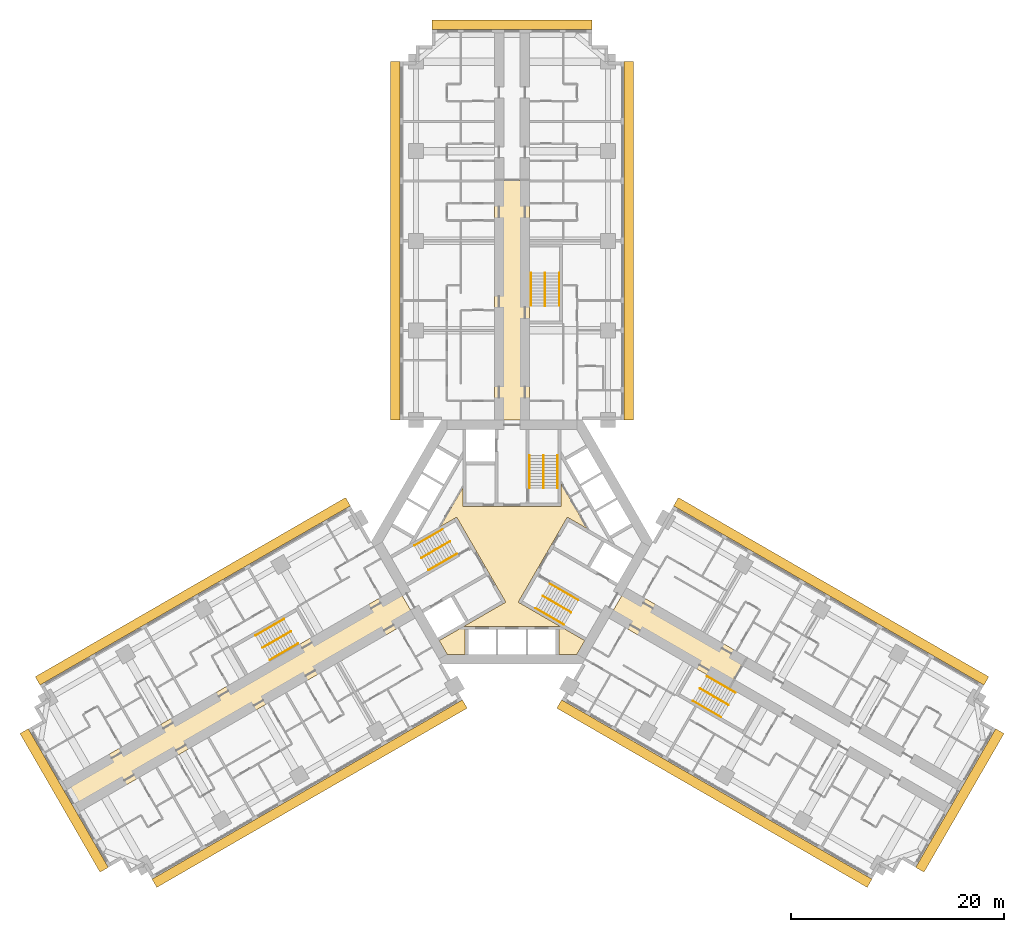
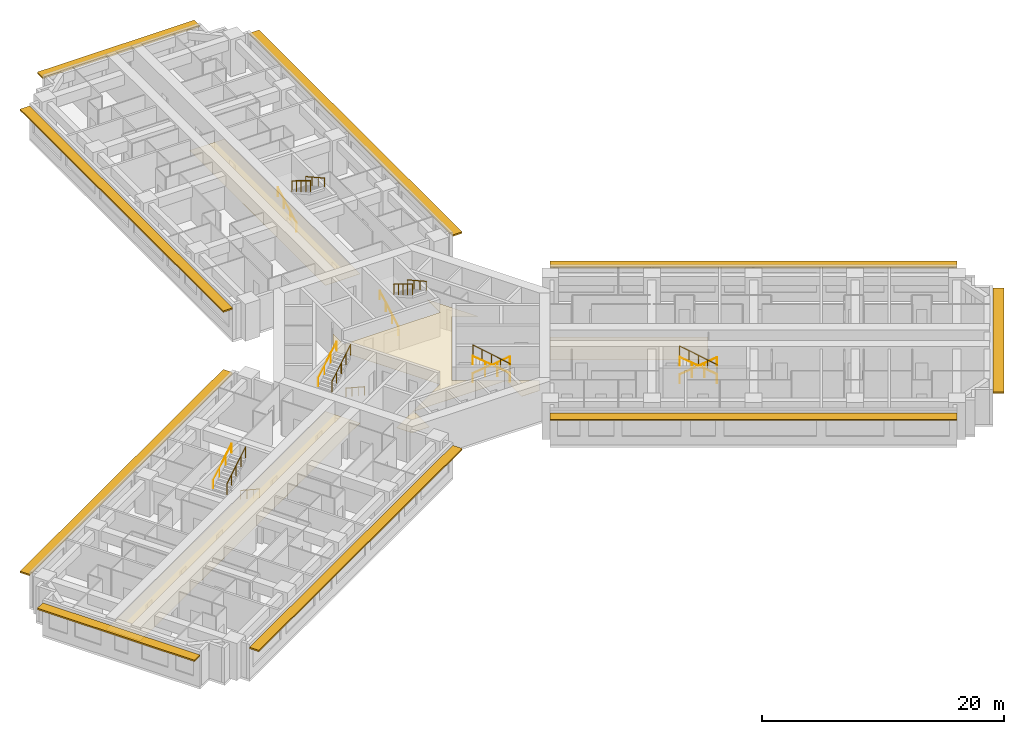
# One storey, part 16 of 16: 18 railings, 4 coverings, 3 shading devices.
"""IFC4 building model written with IfcOpenShell, lengths in metres."""

from ifc_helpers import new_model, si_unit, direction, frame, origin, origin_2d, place, context, subcontext, project, spatial, polyline, rectangle, circle, outline, extrude, material, layer, layer_set, type_object, element, save


model = new_model("IFC4")

# Units and contexts
model_context = context("Model", 3, precision=1e-05, world=origin(), true_north=direction((0.0, 1.0)))
body_context = subcontext(model_context, "Body", "Model", "MODEL_VIEW")
ifc_project = project(units=[si_unit("LENGTHUNIT", "METRE"), si_unit("AREAUNIT", "SQUARE_METRE"), si_unit("VOLUMEUNIT", "CUBIC_METRE"), si_unit("PLANEANGLEUNIT", "RADIAN"), si_unit("MASSUNIT", "GRAM", prefix="KILO")], contexts=[model_context])

# Site, building, storey
site_placement = place(None, origin())
site = spatial("IfcSite", under=ifc_project, at=site_placement, CompositionType="ELEMENT")
building_placement = place(site_placement, origin())
building = spatial("IfcBuilding", under=site, at=building_placement, Name="Impinga Residences", CompositionType="ELEMENT")
storey_placement = place(building_placement, frame((0.0, 0.0, 52.25)))
storey = spatial("IfcBuildingStorey", under=building, at=storey_placement, Name="L12", CompositionType="ELEMENT", Elevation=52.25)

# Coverings
ifc_material_1 = material(Name="Plasterboard 15 mm on steel hangers", Category="steel")
ifc_layer_1 = layer(ifc_material_1, 0.014892578125)
ifc_layer_set_1 = layer_set([ifc_layer_1], Name="Plasterboard 15 mm on steel hangers")
covering_type_1 = type_object("IfcCoveringType", Name="CL1 corridor ceiling, 15 mm plasterboard on hangers", PredefinedType="CEILING", material=ifc_layer_set_1)
covering_1_placement = place(storey_placement, frame((0.0, 0.0, 2.39990234375)))
element("IfcCovering", 1, at=covering_1_placement, inside=storey, type_object=covering_type_1, Name="Corridor ceiling CL1 L12-N00", PredefinedType="CEILING", context=body_context, shape_type="SweptSolid", body=[
    extrude(outline(polyline([(1.64990234375, 11.431640625), (-1.64990234375, 11.431640625), (-1.64990234375, 33.887939453125), (1.64990234375, 33.887939453125), (1.64990234375, 11.431640625)])), origin(), (0.0, 0.0, 1.0), 0.01513671875),
])
covering_2_placement = place(storey_placement, frame((0.0, 0.0, 2.39990234375)))
element("IfcCovering", 2, at=covering_2_placement, inside=storey, type_object=covering_type_1, Name="Corridor ceiling CL1 L12-W00", PredefinedType="CEILING", context=body_context, shape_type="SweptSolid", body=[
    extrude(outline(polyline([(-9.074951171875, -7.144775390625), (-10.72509765625, -4.286865234375), (-42.16162109375, -22.436767578125), (-40.51171875, -25.294677734375), (-9.074951171875, -7.144775390625)])), origin(), (0.0, 0.0, 1.0), 0.01513671875),
])
covering_3_placement = place(storey_placement, frame((0.0, 0.0, 2.39990234375)))
element("IfcCovering", 3, at=covering_3_placement, inside=storey, type_object=covering_type_1, Name="Corridor ceiling CL1 L12-E00", PredefinedType="CEILING", context=body_context, shape_type="SweptSolid", body=[
    extrude(outline(polyline([(9.074951171875, -7.144775390625), (10.72509765625, -4.286865234375), (21.999267578125, -10.796142578125), (20.349365234375, -13.654052734375), (9.074951171875, -7.144775390625)])), origin(), (0.0, 0.0, 1.0), 0.01513671875),
])
ifc_material_2 = material(Name="Mineral fibre tiles 20 mm on exposed grid", Category="mineral fibre")
ifc_layer_2 = layer(ifc_material_2, 0.02001953125)
ifc_layer_set_2 = layer_set([ifc_layer_2], Name="CL2 lift lobby ceiling, 20 mm mineral fibre tiles")
covering_type_2 = type_object("IfcCoveringType", Name="CL2 lift lobby ceiling, 20 mm mineral fibre tiles", PredefinedType="CEILING", material=ifc_layer_set_2)
covering_4_placement = place(storey_placement, frame((0.0, 0.0, 2.39990234375)))
element("IfcCovering", 4, at=covering_4_placement, inside=storey, type_object=covering_type_2, Name="Lift lobby ceiling CL2 L12-C01", PredefinedType="CEILING", context=body_context, shape_type="SweptSolid", body=[
    extrude(outline(polyline([(6.080322265625, -10.531494140625), (4.39990234375, -10.531494140625), (4.39990234375, -7.931640625), (-4.39990234375, -7.931640625), (-4.39990234375, -10.531494140625), (-6.080322265625, -10.531494140625), (-6.820556640625, -9.24951171875), (-0.583984375, -5.648681640625), (-5.183837890625, 2.318603515625), (-6.712890625, 1.435791015625), (-4.60009765625, 5.095703125), (-4.60009765625, 3.330078125), (4.60009765625, 3.330078125), (4.60009765625, 5.49560546875), (7.059326171875, 1.23583984375), (5.183837890625, 2.318603515625), (0.583984375, -5.648681640625), (6.820556640625, -9.24951171875), (6.080322265625, -10.531494140625)])), origin(), (0.0, 0.0, 1.0), 0.02001953125),
])

# Railings
ifc_material_3 = material(Name="Steel guard, powder coated", Category="steel")
railing_type_1 = type_object("IfcRailingType", Name="GR1 stair guard 1100", PredefinedType="GUARDRAIL", material=ifc_material_3)
railing_1_placement = place(storey_placement, frame((2.949951171875, 8.110107421875, 1.875)))
element("IfcRailing", 5, at=railing_1_placement, inside=storey, type_object=railing_type_1, Name="Stair guard GR1 ST1 L12", PredefinedType="GUARDRAIL", context=body_context, shape_type="SweptSolid", body=[
    extrude(circle(Radius=0.02392578125, at=origin_2d()), frame((0.0, 0.0, 1.076171875), z_axis=(0.0, -0.854177636135, 0.519981313056), x_axis=(1.0, 0.0, 0.0)), (0.0, 0.0, 1.0), 3.60595703125),
    extrude(circle(Radius=0.02099609375, at=origin_2d()), origin(), (0.0, 0.0, 1.0), 1.052001953125),
    extrude(circle(Radius=0.02099609375, at=origin_2d()), frame((0.0, -0.77001953125, 0.46875)), (0.0, 0.0, 1.0), 1.052001953125),
    extrude(circle(Radius=0.02099609375, at=origin_2d()), frame((0.0, -1.5400390625, 0.9375)), (0.0, 0.0, 1.0), 1.052001953125),
    extrude(circle(Radius=0.02099609375, at=origin_2d()), frame((0.0, -2.31005859375, 1.40625)), (0.0, 0.0, 1.0), 1.052001953125),
    extrude(circle(Radius=0.02099609375, at=origin_2d()), frame((0.0, -3.080078125, 1.875)), (0.0, 0.0, 1.0), 1.052001953125),
])
railing_2_placement = place(storey_placement, frame((-8.49853515625, -1.500244140625, 1.875)))
element("IfcRailing", 6, at=railing_2_placement, inside=storey, type_object=railing_type_1, Name="Stair guard GR1 ST2 L12", PredefinedType="GUARDRAIL", context=body_context, shape_type="SweptSolid", body=[
    extrude(circle(Radius=0.02392578125, at=origin_2d()), frame((0.0, 0.0, 1.076171875), z_axis=(0.739746383972, 0.427084037168, 0.519975492303), x_axis=(-0.499992328818, 0.866029832698, 0.0)), (0.0, 0.0, 1.0), 3.60595703125),
    extrude(circle(Radius=0.02099609375, at=origin_2d()), origin(), (0.0, 0.0, 1.0), 1.052001953125),
    extrude(circle(Radius=0.02099609375, at=origin_2d()), frame((0.6669921875, 0.385009765625, 0.46875)), (0.0, 0.0, 1.0), 1.052001953125),
    extrude(circle(Radius=0.02099609375, at=origin_2d()), frame((1.333740234375, 0.77001953125, 0.9375)), (0.0, 0.0, 1.0), 1.052001953125),
    extrude(circle(Radius=0.02099609375, at=origin_2d()), frame((2.00048828125, 1.155029296875, 1.40625)), (0.0, 0.0, 1.0), 1.052001953125),
    extrude(circle(Radius=0.02099609375, at=origin_2d()), frame((2.66748046875, 1.5400390625, 1.875)), (0.0, 0.0, 1.0), 1.052001953125),
])
railing_3_placement = place(storey_placement, frame((5.548583984375, -6.60986328125, 1.875)))
element("IfcRailing", 7, at=railing_3_placement, inside=storey, type_object=railing_type_1, Name="Stair guard GR1 ST3 L12", PredefinedType="GUARDRAIL", context=body_context, shape_type="SweptSolid", body=[
    extrude(circle(Radius=0.02392578125, at=origin_2d()), frame((0.0, 0.0, 1.076171875), z_axis=(-0.739746383972, 0.427084037168, 0.519975492303), x_axis=(-0.499992328818, -0.866029832698, 0.0)), (0.0, 0.0, 1.0), 3.60595703125),
    extrude(circle(Radius=0.02099609375, at=origin_2d()), origin(), (0.0, 0.0, 1.0), 1.052001953125),
    extrude(circle(Radius=0.02099609375, at=origin_2d()), frame((-0.6669921875, 0.385009765625, 0.46875)), (0.0, 0.0, 1.0), 1.052001953125),
    extrude(circle(Radius=0.02099609375, at=origin_2d()), frame((-1.333740234375, 0.77001953125, 0.9375)), (0.0, 0.0, 1.0), 1.052001953125),
    extrude(circle(Radius=0.02099609375, at=origin_2d()), frame((-2.00048828125, 1.155029296875, 1.40625)), (0.0, 0.0, 1.0), 1.052001953125),
    extrude(circle(Radius=0.02099609375, at=origin_2d()), frame((-2.66748046875, 1.5400390625, 1.875)), (0.0, 0.0, 1.0), 1.052001953125),
])
railing_4_placement = place(storey_placement, frame((3.10009765625, 25.21142578125, 1.875)))
element("IfcRailing", 8, at=railing_4_placement, inside=storey, type_object=railing_type_1, Name="Stair guard GR1 WS1 L12", PredefinedType="GUARDRAIL", context=body_context, shape_type="SweptSolid", body=[
    extrude(circle(Radius=0.02392578125, at=origin_2d()), frame((0.0, 0.0, 1.076171875), z_axis=(0.0, -0.854159328187, 0.520011386482), x_axis=(1.0, 0.0, 0.0)), (0.0, 0.0, 1.0), 3.605712890625),
    extrude(circle(Radius=0.02099609375, at=origin_2d()), origin(), (0.0, 0.0, 1.0), 1.052001953125),
    extrude(circle(Radius=0.02099609375, at=origin_2d()), frame((0.0, -0.77001953125, 0.46875)), (0.0, 0.0, 1.0), 1.052001953125),
    extrude(circle(Radius=0.02099609375, at=origin_2d()), frame((0.0, -1.5400390625, 0.9375)), (0.0, 0.0, 1.0), 1.052001953125),
    extrude(circle(Radius=0.02099609375, at=origin_2d()), frame((0.0, -2.309814453125, 1.40625)), (0.0, 0.0, 1.0), 1.052001953125),
    extrude(circle(Radius=0.02099609375, at=origin_2d()), frame((0.0, -3.079833984375, 1.875)), (0.0, 0.0, 1.0), 1.052001953125),
])
railing_5_placement = place(storey_placement, frame((-23.3837890625, -9.921142578125, 1.875)))
element("IfcRailing", 9, at=railing_5_placement, inside=storey, type_object=railing_type_1, Name="Stair guard GR1 WS2 L12", PredefinedType="GUARDRAIL", context=body_context, shape_type="SweptSolid", body=[
    extrude(circle(Radius=0.02392578125, at=origin_2d()), frame((0.0, 0.0, 1.076171875), z_axis=(0.739715726454, 0.427105428144, 0.52000153585), x_axis=(-0.500026652407, 0.866010015463, 0.0)), (0.0, 0.0, 1.0), 3.605712890625),
    extrude(circle(Radius=0.02099609375, at=origin_2d()), origin(), (0.0, 0.0, 1.0), 1.052001953125),
    extrude(circle(Radius=0.02099609375, at=origin_2d()), frame((0.666748046875, 0.385009765625, 0.46875)), (0.0, 0.0, 1.0), 1.052001953125),
    extrude(circle(Radius=0.02099609375, at=origin_2d()), frame((1.33349609375, 0.77001953125, 0.9375)), (0.0, 0.0, 1.0), 1.052001953125),
    extrude(circle(Radius=0.02099609375, at=origin_2d()), frame((2.00048828125, 1.155029296875, 1.40625)), (0.0, 0.0, 1.0), 1.052001953125),
    extrude(circle(Radius=0.02099609375, at=origin_2d()), frame((2.667236328125, 1.5400390625, 1.875)), (0.0, 0.0, 1.0), 1.052001953125),
])
railing_6_placement = place(storey_placement, frame((20.283935546875, -15.29052734375, 1.875)))
element("IfcRailing", 10, at=railing_6_placement, inside=storey, type_object=railing_type_1, Name="Stair guard GR1 WS3 L12", PredefinedType="GUARDRAIL", context=body_context, shape_type="SweptSolid", body=[
    extrude(circle(Radius=0.02392578125, at=origin_2d()), frame((0.0, 0.0, 1.076171875), z_axis=(-0.739746383972, 0.427084037168, 0.519975492303), x_axis=(-0.499992328818, -0.866029832698, 0.0)), (0.0, 0.0, 1.0), 3.60595703125),
    extrude(circle(Radius=0.02099609375, at=origin_2d()), origin(), (0.0, 0.0, 1.0), 1.052001953125),
    extrude(circle(Radius=0.02099609375, at=origin_2d()), frame((-0.6669921875, 0.385009765625, 0.46875)), (0.0, 0.0, 1.0), 1.052001953125),
    extrude(circle(Radius=0.02099609375, at=origin_2d()), frame((-1.333740234375, 0.77001953125, 0.9375)), (0.0, 0.0, 1.0), 1.052001953125),
    extrude(circle(Radius=0.02099609375, at=origin_2d()), frame((-2.00048828125, 1.155029296875, 1.40625)), (0.0, 0.0, 1.0), 1.052001953125),
    extrude(circle(Radius=0.02099609375, at=origin_2d()), frame((-2.66748046875, 1.5400390625, 1.875)), (0.0, 0.0, 1.0), 1.052001953125),
])
ifc_material_4 = material(Name="Steel handrail tube 42 mm, powder coated", Category="steel")
railing_type_2 = type_object("IfcRailingType", Name="HR1 stair handrail, 42 mm steel tube, 900 above the pitch line", PredefinedType="HANDRAIL", material=ifc_material_4)
railing_7_placement = place(storey_placement, frame((1.62109375, 5.030029296875, 0.15625)))
element("IfcRailing", 11, at=railing_7_placement, inside=storey, type_object=railing_type_2, Name="Stair handrail HR1 ST1 L12", PredefinedType="HANDRAIL", context=body_context, shape_type="SweptSolid", body=[
    extrude(circle(Radius=0.02099609375, at=origin_2d()), frame((0.0, 0.0, 0.87890625), z_axis=(0.0, 0.873241540666, 0.487287606713), x_axis=(-1.0, 0.0, 0.0)), (0.0, 0.0, 1.0), 3.527099609375),
    extrude(circle(Radius=0.012451171875, at=origin_2d()), origin(), (0.0, 0.0, 1.0), 0.85791015625),
    extrude(circle(Radius=0.012451171875, at=origin_2d()), frame((0.0, 1.026611328125, 0.572998046875)), (0.0, 0.0, 1.0), 0.85791015625),
    extrude(circle(Radius=0.012451171875, at=origin_2d()), frame((0.0, 2.053466796875, 1.145751953125)), (0.0, 0.0, 1.0), 0.85791015625),
    extrude(circle(Radius=0.012451171875, at=origin_2d()), frame((0.0, 3.080078125, 1.71875)), (0.0, 0.0, 1.0), 0.85791015625),
])
railing_8_placement = place(storey_placement, frame((4.279052734375, 8.110107421875, 2.03125)))
element("IfcRailing", 12, at=railing_8_placement, inside=storey, type_object=railing_type_2, Name="Stair handrail HR1 ST1 L12", PredefinedType="HANDRAIL", context=body_context, shape_type="SweptSolid", body=[
    extrude(circle(Radius=0.02099609375, at=origin_2d()), frame((0.0, 0.0, 0.87890625), z_axis=(0.0, -0.873241540666, 0.487287606713), x_axis=(1.0, 0.0, 0.0)), (0.0, 0.0, 1.0), 3.527099609375),
    extrude(circle(Radius=0.012451171875, at=origin_2d()), origin(), (0.0, 0.0, 1.0), 0.85791015625),
    extrude(circle(Radius=0.012451171875, at=origin_2d()), frame((0.0, -1.026611328125, 0.572998046875)), (0.0, 0.0, 1.0), 0.85791015625),
    extrude(circle(Radius=0.012451171875, at=origin_2d()), frame((0.0, -2.053466796875, 1.145751953125)), (0.0, 0.0, 1.0), 0.85791015625),
    extrude(circle(Radius=0.012451171875, at=origin_2d()), frame((0.0, -3.080078125, 1.71875)), (0.0, 0.0, 1.0), 0.85791015625),
])
railing_9_placement = place(storey_placement, frame((-5.16650390625, -1.111083984375, 0.15625)))
element("IfcRailing", 13, at=railing_9_placement, inside=storey, type_object=railing_type_2, Name="Stair handrail HR1 ST2 L12", PredefinedType="HANDRAIL", context=body_context, shape_type="SweptSolid", body=[
    extrude(circle(Radius=0.02099609375, at=origin_2d()), frame((0.0, 0.0, 0.87890625), z_axis=(-0.756255980417, -0.436615662133, 0.487281905742), x_axis=(0.499992328818, -0.866029832698, 0.0)), (0.0, 0.0, 1.0), 3.527099609375),
    extrude(circle(Radius=0.012451171875, at=origin_2d()), origin(), (0.0, 0.0, 1.0), 0.85791015625),
    extrude(circle(Radius=0.012451171875, at=origin_2d()), frame((-0.88916015625, -0.513427734375, 0.572998046875)), (0.0, 0.0, 1.0), 0.85791015625),
    extrude(circle(Radius=0.012451171875, at=origin_2d()), frame((-1.7783203125, -1.026611328125, 1.145751953125)), (0.0, 0.0, 1.0), 0.85791015625),
    extrude(circle(Radius=0.012451171875, at=origin_2d()), frame((-2.66748046875, -1.5400390625, 1.71875)), (0.0, 0.0, 1.0), 0.85791015625),
])
railing_10_placement = place(storey_placement, frame((-9.1630859375, -0.349365234375, 2.03125)))
element("IfcRailing", 14, at=railing_10_placement, inside=storey, type_object=railing_type_2, Name="Stair handrail HR1 ST2 L12", PredefinedType="HANDRAIL", context=body_context, shape_type="SweptSolid", body=[
    extrude(circle(Radius=0.02099609375, at=origin_2d()), frame((0.0, 0.0, 0.87890625), z_axis=(0.756255980417, 0.436615662133, 0.487281905742), x_axis=(-0.499992328818, 0.866029832698, 0.0)), (0.0, 0.0, 1.0), 3.527099609375),
    extrude(circle(Radius=0.012451171875, at=origin_2d()), origin(), (0.0, 0.0, 1.0), 0.85791015625),
    extrude(circle(Radius=0.012451171875, at=origin_2d()), frame((0.88916015625, 0.513427734375, 0.572998046875)), (0.0, 0.0, 1.0), 0.85791015625),
    extrude(circle(Radius=0.012451171875, at=origin_2d()), frame((1.7783203125, 1.026611328125, 1.145751953125)), (0.0, 0.0, 1.0), 0.85791015625),
    extrude(circle(Radius=0.012451171875, at=origin_2d()), frame((2.66748046875, 1.5400390625, 1.71875)), (0.0, 0.0, 1.0), 0.85791015625),
])
railing_11_placement = place(storey_placement, frame((3.545654296875, -3.9189453125, 0.15625)))
element("IfcRailing", 15, at=railing_11_placement, inside=storey, type_object=railing_type_2, Name="Stair handrail HR1 ST3 L12", PredefinedType="HANDRAIL", context=body_context, shape_type="SweptSolid", body=[
    extrude(circle(Radius=0.02099609375, at=origin_2d()), frame((0.0, 0.0, 0.87890625), z_axis=(0.756249203677, -0.436582492228, 0.487322141317), x_axis=(0.499967199496, 0.866044340336, 0.0)), (0.0, 0.0, 1.0), 3.52685546875),
    extrude(circle(Radius=0.012451171875, at=origin_2d()), origin(), (0.0, 0.0, 1.0), 0.85791015625),
    extrude(circle(Radius=0.012451171875, at=origin_2d()), frame((0.88916015625, -0.51318359375, 0.572998046875)), (0.0, 0.0, 1.0), 0.85791015625),
    extrude(circle(Radius=0.012451171875, at=origin_2d()), frame((1.778076171875, -1.026611328125, 1.145751953125)), (0.0, 0.0, 1.0), 0.85791015625),
    extrude(circle(Radius=0.012451171875, at=origin_2d()), frame((2.667236328125, -1.539794921875, 1.71875)), (0.0, 0.0, 1.0), 0.85791015625),
])
railing_12_placement = place(storey_placement, frame((4.884033203125, -7.7607421875, 2.03125)))
element("IfcRailing", 16, at=railing_12_placement, inside=storey, type_object=railing_type_2, Name="Stair handrail HR1 ST3 L12", PredefinedType="HANDRAIL", context=body_context, shape_type="SweptSolid", body=[
    extrude(circle(Radius=0.02099609375, at=origin_2d()), frame((0.0, 0.0, 0.87890625), z_axis=(-0.756255980417, 0.436615662133, 0.487281905742), x_axis=(-0.499992328818, -0.866029832698, 0.0)), (0.0, 0.0, 1.0), 3.527099609375),
    extrude(circle(Radius=0.012451171875, at=origin_2d()), origin(), (0.0, 0.0, 1.0), 0.85791015625),
    extrude(circle(Radius=0.012451171875, at=origin_2d()), frame((-0.88916015625, 0.513427734375, 0.572998046875)), (0.0, 0.0, 1.0), 0.85791015625),
    extrude(circle(Radius=0.012451171875, at=origin_2d()), frame((-1.7783203125, 1.026611328125, 1.145751953125)), (0.0, 0.0, 1.0), 0.85791015625),
    extrude(circle(Radius=0.012451171875, at=origin_2d()), frame((-2.66748046875, 1.5400390625, 1.71875)), (0.0, 0.0, 1.0), 0.85791015625),
])
railing_13_placement = place(storey_placement, frame((1.77099609375, 22.131591796875, 0.15625)))
element("IfcRailing", 17, at=railing_13_placement, inside=storey, type_object=railing_type_2, Name="Stair handrail HR1 WS1 L12", PredefinedType="HANDRAIL", context=body_context, shape_type="SweptSolid", body=[
    extrude(circle(Radius=0.02099609375, at=origin_2d()), frame((0.0, 0.0, 0.87890625), z_axis=(0.0, 0.873225103656, 0.487317061414), x_axis=(-1.0, 0.0, 0.0)), (0.0, 0.0, 1.0), 3.52685546875),
    extrude(circle(Radius=0.012451171875, at=origin_2d()), origin(), (0.0, 0.0, 1.0), 0.85791015625),
    extrude(circle(Radius=0.012451171875, at=origin_2d()), frame((0.0, 1.026611328125, 0.572998046875)), (0.0, 0.0, 1.0), 0.85791015625),
    extrude(circle(Radius=0.012451171875, at=origin_2d()), frame((0.0, 2.05322265625, 1.145751953125)), (0.0, 0.0, 1.0), 0.85791015625),
    extrude(circle(Radius=0.012451171875, at=origin_2d()), frame((0.0, 3.079833984375, 1.71875)), (0.0, 0.0, 1.0), 0.85791015625),
])
railing_14_placement = place(storey_placement, frame((4.428955078125, 25.21142578125, 2.03125)))
element("IfcRailing", 18, at=railing_14_placement, inside=storey, type_object=railing_type_2, Name="Stair handrail HR1 WS1 L12", PredefinedType="HANDRAIL", context=body_context, shape_type="SweptSolid", body=[
    extrude(circle(Radius=0.02099609375, at=origin_2d()), frame((0.0, 0.0, 0.87890625), z_axis=(0.0, -0.873225103656, 0.487317061414), x_axis=(1.0, 0.0, 0.0)), (0.0, 0.0, 1.0), 3.52685546875),
    extrude(circle(Radius=0.012451171875, at=origin_2d()), origin(), (0.0, 0.0, 1.0), 0.85791015625),
    extrude(circle(Radius=0.012451171875, at=origin_2d()), frame((0.0, -1.026611328125, 0.572998046875)), (0.0, 0.0, 1.0), 0.85791015625),
    extrude(circle(Radius=0.012451171875, at=origin_2d()), frame((0.0, -2.05322265625, 1.145751953125)), (0.0, 0.0, 1.0), 0.85791015625),
    extrude(circle(Radius=0.012451171875, at=origin_2d()), frame((0.0, -3.079833984375, 1.71875)), (0.0, 0.0, 1.0), 0.85791015625),
])
railing_15_placement = place(storey_placement, frame((-20.052001953125, -9.531982421875, 0.15625)))
element("IfcRailing", 19, at=railing_15_placement, inside=storey, type_object=railing_type_2, Name="Stair handrail HR1 WS2 L12", PredefinedType="HANDRAIL", context=body_context, shape_type="SweptSolid", body=[
    extrude(circle(Radius=0.02099609375, at=origin_2d()), frame((0.0, 0.0, 0.87890625), z_axis=(-0.756226348243, -0.436638517594, 0.487307413422), x_axis=(0.500026652407, -0.866010015463, 0.0)), (0.0, 0.0, 1.0), 3.527099609375),
    extrude(circle(Radius=0.012451171875, at=origin_2d()), origin(), (0.0, 0.0, 1.0), 0.85791015625),
    extrude(circle(Radius=0.012451171875, at=origin_2d()), frame((-0.88916015625, -0.513427734375, 0.572998046875)), (0.0, 0.0, 1.0), 0.85791015625),
    extrude(circle(Radius=0.012451171875, at=origin_2d()), frame((-1.778076171875, -1.026611328125, 1.145751953125)), (0.0, 0.0, 1.0), 0.85791015625),
    extrude(circle(Radius=0.012451171875, at=origin_2d()), frame((-2.667236328125, -1.5400390625, 1.71875)), (0.0, 0.0, 1.0), 0.85791015625),
])
railing_16_placement = place(storey_placement, frame((-24.04833984375, -8.77001953125, 2.03125)))
element("IfcRailing", 20, at=railing_16_placement, inside=storey, type_object=railing_type_2, Name="Stair handrail HR1 WS2 L12", PredefinedType="HANDRAIL", context=body_context, shape_type="SweptSolid", body=[
    extrude(circle(Radius=0.02099609375, at=origin_2d()), frame((0.0, 0.0, 0.87890625), z_axis=(0.756278834354, 0.436559638319, 0.487296631324), x_axis=(-0.499932877268, 0.866064153644, 0.0)), (0.0, 0.0, 1.0), 3.527099609375),
    extrude(circle(Radius=0.012451171875, at=origin_2d()), origin(), (0.0, 0.0, 1.0), 0.85791015625),
    extrude(circle(Radius=0.012451171875, at=origin_2d()), frame((0.88916015625, 0.51318359375, 0.572998046875)), (0.0, 0.0, 1.0), 0.85791015625),
    extrude(circle(Radius=0.012451171875, at=origin_2d()), frame((1.7783203125, 1.026611328125, 1.145751953125)), (0.0, 0.0, 1.0), 0.85791015625),
    extrude(circle(Radius=0.012451171875, at=origin_2d()), frame((2.66748046875, 1.539794921875, 1.71875)), (0.0, 0.0, 1.0), 0.85791015625),
])
railing_17_placement = place(storey_placement, frame((18.281005859375, -12.599609375, 0.15625)))
element("IfcRailing", 21, at=railing_17_placement, inside=storey, type_object=railing_type_2, Name="Stair handrail HR1 WS3 L12", PredefinedType="HANDRAIL", context=body_context, shape_type="SweptSolid", body=[
    extrude(circle(Radius=0.02099609375, at=origin_2d()), frame((0.0, 0.0, 0.87890625), z_axis=(0.756249203677, -0.436582492228, 0.487322141317), x_axis=(0.499967199496, 0.866044340336, 0.0)), (0.0, 0.0, 1.0), 3.52685546875),
    extrude(circle(Radius=0.012451171875, at=origin_2d()), origin(), (0.0, 0.0, 1.0), 0.85791015625),
    extrude(circle(Radius=0.012451171875, at=origin_2d()), frame((0.88916015625, -0.51318359375, 0.572998046875)), (0.0, 0.0, 1.0), 0.85791015625),
    extrude(circle(Radius=0.012451171875, at=origin_2d()), frame((1.778076171875, -1.026611328125, 1.145751953125)), (0.0, 0.0, 1.0), 0.85791015625),
    extrude(circle(Radius=0.012451171875, at=origin_2d()), frame((2.667236328125, -1.539794921875, 1.71875)), (0.0, 0.0, 1.0), 0.85791015625),
])
railing_18_placement = place(storey_placement, frame((19.619384765625, -16.44140625, 2.03125)))
element("IfcRailing", 22, at=railing_18_placement, inside=storey, type_object=railing_type_2, Name="Stair handrail HR1 WS3 L12", PredefinedType="HANDRAIL", context=body_context, shape_type="SweptSolid", body=[
    extrude(circle(Radius=0.02099609375, at=origin_2d()), frame((0.0, 0.0, 0.87890625), z_axis=(-0.756255980417, 0.436615662133, 0.487281905742), x_axis=(-0.499992328818, -0.866029832698, 0.0)), (0.0, 0.0, 1.0), 3.527099609375),
    extrude(circle(Radius=0.012451171875, at=origin_2d()), origin(), (0.0, 0.0, 1.0), 0.85791015625),
    extrude(circle(Radius=0.012451171875, at=origin_2d()), frame((-0.88916015625, 0.513427734375, 0.572998046875)), (0.0, 0.0, 1.0), 0.85791015625),
    extrude(circle(Radius=0.012451171875, at=origin_2d()), frame((-1.7783203125, 1.026611328125, 1.145751953125)), (0.0, 0.0, 1.0), 0.85791015625),
    extrude(circle(Radius=0.012451171875, at=origin_2d()), frame((-2.66748046875, 1.5400390625, 1.71875)), (0.0, 0.0, 1.0), 0.85791015625),
])

# Shading devices
ifc_material_5 = material(Name="Terracotta sunshade blades on aluminium brackets", Category="masonry")
ifc_layer_3 = layer(ifc_material_5, 0.14990234375)
ifc_layer_set_3 = layer_set([ifc_layer_3], Name="SS1 SUNSHADE terracotta sunshade band 900")
shading_device_type = type_object("IfcShadingDeviceType", Name="SS1 SUNSHADE terracotta sunshade band 900", PredefinedType="USERDEFINED", material=ifc_layer_set_3)
shading_device_1_placement = place(storey_placement, frame((-10.949951171875, 28.2314453125, 3.10009765625), z_axis=(0.0, 0.0, 1.0), x_axis=(0.0, 1.0, 0.0)))
element("IfcShadingDevice", 23, at=shading_device_1_placement, inside=storey, type_object=shading_device_type, Name="SUNSHADE band L12 NORTH WING", ObjectType="SUNSHADE", PredefinedType="USERDEFINED", context=body_context, shape_type="SweptSolid", body=[
    extrude(rectangle(XDim=33.60009765625, YDim=0.89990234375, at=origin_2d()), origin(), (0.0, 0.0, 1.0), 0.14990234375),
    extrude(rectangle(XDim=15.0, YDim=0.89990234375, at=origin_2d()), frame((20.25, -10.949951171875, 0.0), z_axis=(0.0, 0.0, 1.0), x_axis=(0.0, -1.0, 0.0)), (0.0, 0.0, 1.0), 0.14990234375),
    extrude(rectangle(XDim=33.60009765625, YDim=0.89990234375, at=origin_2d()), frame((0.0, -21.89990234375, 0.0), z_axis=(0.0, 0.0, 1.0), x_axis=(-1.0, 0.0, 0.0)), (0.0, 0.0, 1.0), 0.14990234375),
])
shading_device_2_placement = place(storey_placement, frame((-41.986328125, -24.24072265625, 3.10009765625), z_axis=(0.0, 0.0, 1.0), x_axis=(-0.5, 0.866025403784, 0.0)))
element("IfcShadingDevice", 24, at=shading_device_2_placement, inside=storey, type_object=shading_device_type, Name="SUNSHADE band L12 WEST WING", ObjectType="SUNSHADE", PredefinedType="USERDEFINED", context=body_context, shape_type="SweptSolid", body=[
    extrude(rectangle(XDim=15.0, YDim=0.89990234375, at=origin_2d()), origin(), (0.0, 0.0, 1.0), 0.14990234375),
    extrude(rectangle(XDim=33.60009765625, YDim=0.89990234375, at=origin_2d()), frame((10.949951171875, -20.25, 0.0), z_axis=(0.0, 0.0, 1.0), x_axis=(0.0, -1.0, 0.0)), (0.0, 0.0, 1.0), 0.14990234375),
    extrude(rectangle(XDim=33.60009765625, YDim=0.89990234375, at=origin_2d()), frame((-10.949951171875, -20.250244140625, 0.0), z_axis=(0.0, 0.0, 1.0), x_axis=(0.0, 1.0, 0.0)), (0.0, 0.0, 1.0), 0.14990234375),
])
shading_device_3_placement = place(storey_placement, frame((29.92431640625, -4.6328125, 3.10009765625), z_axis=(0.0, 0.0, 1.0), x_axis=(0.866025403784, -0.5, 0.0)))
element("IfcShadingDevice", 25, at=shading_device_3_placement, inside=storey, type_object=shading_device_type, Name="SUNSHADE band L12 EAST WING", ObjectType="SUNSHADE", PredefinedType="USERDEFINED", context=body_context, shape_type="SweptSolid", body=[
    extrude(rectangle(XDim=33.60009765625, YDim=0.89990234375, at=origin_2d()), origin(), (0.0, 0.0, 1.0), 0.14990234375),
    extrude(rectangle(XDim=15.0, YDim=0.89990234375, at=origin_2d()), frame((20.25, -10.949951171875, 0.0), z_axis=(0.0, 0.0, 1.0), x_axis=(0.0, -1.0, 0.0)), (0.0, 0.0, 1.0), 0.14990234375),
    extrude(rectangle(XDim=33.60009765625, YDim=0.89990234375, at=origin_2d()), frame((-0.000244140625, -21.89990234375, 0.0), z_axis=(0.0, 0.0, 1.0), x_axis=(-1.0, 0.0, 0.0)), (0.0, 0.0, 1.0), 0.14990234375),
])

save(model, "model.ifc")
